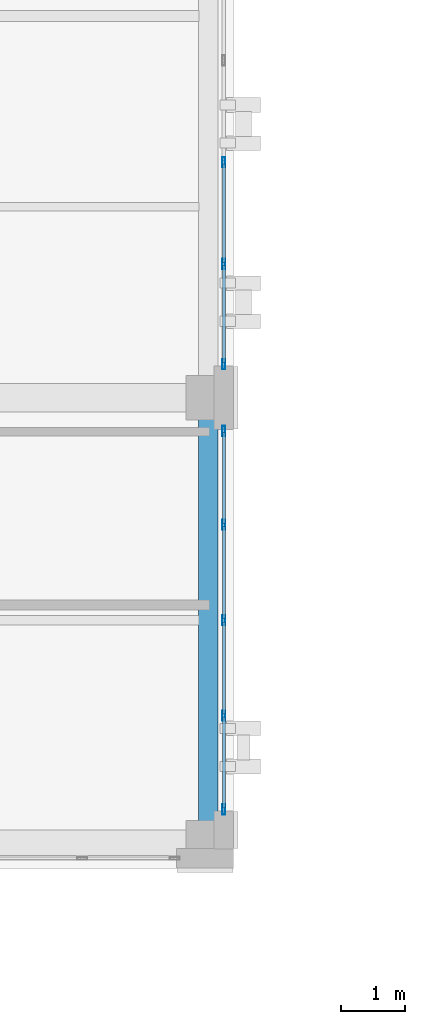
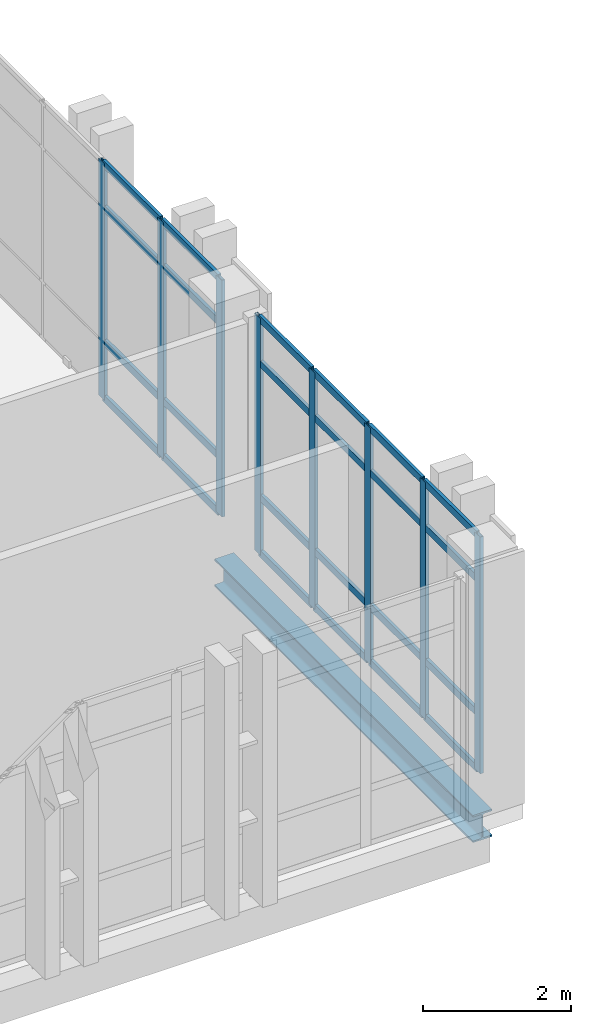
# One storey, part 113 of 193: 32 members, 1 beam, 2 elements without a shape of their own.
"""IFC4 building model written with IfcOpenShell, lengths in metres."""

from ifc_helpers import new_model, si_unit, direction, frame, origin, origin_2d, place, context, subcontext, project, spatial, hollow_rectangle, i_section, extrude, material, layer, layer_set, material_profile, profile_set, type_object, element, aggregate, save


model = new_model("IFC4")

# Units and contexts
model_context = context("Model", 3, precision=1e-05, world=origin(), true_north=direction((0.0, 1.0)))
body_context = subcontext(model_context, "Body", "Model", "MODEL_VIEW")
ifc_project = project(units=[si_unit("LENGTHUNIT", "METRE"), si_unit("AREAUNIT", "SQUARE_METRE"), si_unit("VOLUMEUNIT", "CUBIC_METRE"), si_unit("PLANEANGLEUNIT", "RADIAN"), si_unit("MASSUNIT", "GRAM", prefix="KILO")], contexts=[model_context])

# Site, building, storey
site_placement = place(None, origin())
site = spatial("IfcSite", under=ifc_project, at=site_placement, CompositionType="ELEMENT")
building_placement = place(site_placement, origin())
building = spatial("IfcBuilding", under=site, at=building_placement, Name="Qalavern Law Courts", CompositionType="ELEMENT")
storey_placement = place(building_placement, frame((0.0, 0.0, 10.199951171875)))
storey = spatial("IfcBuildingStorey", under=building, at=storey_placement, Name="L02", CompositionType="ELEMENT", Elevation=10.199951171875)

# Curtain wall, members
ifc_material_1 = material(Name="Anodised aluminium and insulated glazing", Category="aluminium")
ifc_layer = layer(ifc_material_1, 0.166015625)
ifc_layer_set = layer_set([ifc_layer], Name="Anodised aluminium and insulated glazing")
curtain_wall_type = type_object("IfcCurtainWallType", Name="ENV-CW-LIB", PredefinedType="USERDEFINED", material=ifc_layer_set)
curtain_wall_1_placement = place(storey_placement, origin())
curtain_wall_1 = element("IfcCurtainWall", 1, at=curtain_wall_1_placement, inside=storey, type_object=curtain_wall_type, Name="V5 unitised curtain wall L02 east 1", ObjectType="UNITISED CURTAIN WALL", PredefinedType="USERDEFINED")
ifc_material_2 = material(Name="Anodised aluminium", Category="aluminium")
ifc_material_profile_1 = material_profile(ifc_material_2, hollow_rectangle(XDim=0.048095703125, YDim=0.159912109375, WallThickness=0.00390625, at=origin_2d()), Name="ALU MULLION 48x160")
ifc_profile_set_1 = profile_set([ifc_material_profile_1], Name="Anodised aluminium")
member_type_1 = type_object("IfcMemberType", Name="ENV-CWM-48x160", PredefinedType="MULLION", material=ifc_profile_set_1)
member_1_placement = place(storey_placement, frame((66.64501953125, 97.1240234375, 0.0), z_axis=(0.0, 0.0, 1.0), x_axis=(-1.0, 0.0, 0.0)))
member_1 = element("IfcMember", 2, at=member_1_placement, type_object=member_type_1, Name="CW-05 mullion 1", PredefinedType="MULLION", context=body_context, shape_type="SweptSolid", body=[
    extrude(hollow_rectangle(XDim=0.048095703125, YDim=0.159912109375, WallThickness=0.00390625, at=origin_2d()), origin(), (0.0, 0.0, 1.0), 3.9150390625),
])
member_2_placement = place(storey_placement, frame((66.64501953125, 98.60009765625, 0.0), z_axis=(0.0, 0.0, 1.0), x_axis=(-1.0, 0.0, 0.0)))
member_2 = element("IfcMember", 3, at=member_2_placement, type_object=member_type_1, Name="CW-05 mullion 2", PredefinedType="MULLION", context=body_context, shape_type="SweptSolid", body=[
    extrude(hollow_rectangle(XDim=0.048095703125, YDim=0.159912109375, WallThickness=0.00390625, at=origin_2d()), origin(), (0.0, 0.0, 1.0), 3.9150390625),
])
member_3_placement = place(storey_placement, frame((66.64501953125, 100.10009765625, 0.0), z_axis=(0.0, 0.0, 1.0), x_axis=(-1.0, 0.0, 0.0)))
member_3 = element("IfcMember", 4, at=member_3_placement, type_object=member_type_1, Name="CW-05 mullion 3", PredefinedType="MULLION", context=body_context, shape_type="SweptSolid", body=[
    extrude(hollow_rectangle(XDim=0.048095703125, YDim=0.159912109375, WallThickness=0.00390625, at=origin_2d()), origin(), (0.0, 0.0, 1.0), 3.9150390625),
])
member_4_placement = place(storey_placement, frame((66.64501953125, 101.60009765625, 0.0), z_axis=(0.0, 0.0, 1.0), x_axis=(-1.0, 0.0, 0.0)))
member_4 = element("IfcMember", 5, at=member_4_placement, type_object=member_type_1, Name="CW-05 mullion 4", PredefinedType="MULLION", context=body_context, shape_type="SweptSolid", body=[
    extrude(hollow_rectangle(XDim=0.048095703125, YDim=0.159912109375, WallThickness=0.00390625, at=origin_2d()), origin(), (0.0, 0.0, 1.0), 3.9150390625),
])
member_5_placement = place(storey_placement, frame((66.64501953125, 103.075927734375, 0.0), z_axis=(0.0, 0.0, 1.0), x_axis=(-1.0, 0.0, 0.0)))
member_5 = element("IfcMember", 6, at=member_5_placement, type_object=member_type_1, Name="CW-05 mullion 5", PredefinedType="MULLION", context=body_context, shape_type="SweptSolid", body=[
    extrude(hollow_rectangle(XDim=0.048095703125, YDim=0.159912109375, WallThickness=0.00390625, at=origin_2d()), origin(), (0.0, 0.0, 1.0), 3.9150390625),
])

curtain_wall_2_placement = place(storey_placement, origin())
curtain_wall_2 = element("IfcCurtainWall", 7, at=curtain_wall_2_placement, inside=storey, type_object=curtain_wall_type, Name="V5 unitised curtain wall L02 east 2", ObjectType="UNITISED CURTAIN WALL", PredefinedType="USERDEFINED")
member_6_placement = place(storey_placement, frame((66.64501953125, 104.1240234375, 0.0), z_axis=(0.0, 0.0, 1.0), x_axis=(-1.0, 0.0, 0.0)))
member_6 = element("IfcMember", 8, at=member_6_placement, type_object=member_type_1, Name="CW-05 mullion 1", PredefinedType="MULLION", context=body_context, shape_type="SweptSolid", body=[
    extrude(hollow_rectangle(XDim=0.048095703125, YDim=0.159912109375, WallThickness=0.00390625, at=origin_2d()), origin(), (0.0, 0.0, 1.0), 3.9150390625),
])
member_7_placement = place(storey_placement, frame((66.64501953125, 105.699951171875, 0.0), z_axis=(0.0, 0.0, 1.0), x_axis=(-1.0, 0.0, 0.0)))
member_7 = element("IfcMember", 9, at=member_7_placement, type_object=member_type_1, Name="CW-05 mullion 2", PredefinedType="MULLION", context=body_context, shape_type="SweptSolid", body=[
    extrude(hollow_rectangle(XDim=0.048095703125, YDim=0.159912109375, WallThickness=0.00390625, at=origin_2d()), origin(), (0.0, 0.0, 1.0), 3.9150390625),
])
member_8_placement = place(storey_placement, frame((66.64501953125, 107.300048828125, 0.0), z_axis=(0.0, 0.0, 1.0), x_axis=(-1.0, 0.0, 0.0)))
member_8 = element("IfcMember", 10, at=member_8_placement, type_object=member_type_1, Name="CW-05 mullion 3", PredefinedType="MULLION", context=body_context, shape_type="SweptSolid", body=[
    extrude(hollow_rectangle(XDim=0.048095703125, YDim=0.159912109375, WallThickness=0.00390625, at=origin_2d()), origin(), (0.0, 0.0, 1.0), 3.9150390625),
])

# Member
ifc_material_profile_2 = material_profile(ifc_material_2, hollow_rectangle(XDim=0.048095703125, YDim=0.1201171875, WallThickness=0.00390625, at=origin_2d()), Name="ALU TRANSOM 48x120")
ifc_profile_set_2 = profile_set([ifc_material_profile_2], Name="Anodised aluminium")
member_type_2 = type_object("IfcMemberType", Name="ENV-CWT-48x120", PredefinedType="USERDEFINED", material=ifc_profile_set_2)
member_9_placement = place(storey_placement, frame((66.64501953125, 97.14794921875, 0.024169921875), z_axis=(0.0, 1.0, 0.0), x_axis=(-1.0, 0.0, 0.0)))
member_9 = element("IfcMember", 11, at=member_9_placement, type_object=member_type_2, Name="CW-05 transom 1.1", ObjectType="TRANSOM", PredefinedType="USERDEFINED", context=body_context, shape_type="SweptSolid", body=[
    extrude(hollow_rectangle(XDim=0.048095703125, YDim=0.1201171875, WallThickness=0.00390625, at=origin_2d()), origin(), (0.0, 0.0, 1.0), 1.427978515625),
])

member_10_placement = place(storey_placement, frame((66.64501953125, 97.14794921875, 0.949951171875), z_axis=(0.0, 1.0, 0.0), x_axis=(-1.0, 0.0, 0.0)))
member_10 = element("IfcMember", 12, at=member_10_placement, type_object=member_type_2, Name="CW-05 transom 1.2", ObjectType="TRANSOM", PredefinedType="USERDEFINED", context=body_context, shape_type="SweptSolid", body=[
    extrude(hollow_rectangle(XDim=0.048095703125, YDim=0.1201171875, WallThickness=0.00390625, at=origin_2d()), origin(), (0.0, 0.0, 1.0), 1.427978515625),
])

member_11_placement = place(storey_placement, frame((66.64501953125, 97.14794921875, 3.1650390625), z_axis=(0.0, 1.0, 0.0), x_axis=(-1.0, 0.0, 0.0)))
member_11 = element("IfcMember", 13, at=member_11_placement, type_object=member_type_2, Name="CW-05 transom 1.3", ObjectType="TRANSOM", PredefinedType="USERDEFINED", context=body_context, shape_type="SweptSolid", body=[
    extrude(hollow_rectangle(XDim=0.048095703125, YDim=0.1201171875, WallThickness=0.00390625, at=origin_2d()), origin(), (0.0, 0.0, 1.0), 1.427978515625),
])

member_12_placement = place(storey_placement, frame((66.64501953125, 97.14794921875, 3.89111328125), z_axis=(0.0, 1.0, 0.0), x_axis=(-1.0, 0.0, 0.0)))
member_12 = element("IfcMember", 14, at=member_12_placement, type_object=member_type_2, Name="CW-05 transom 1.4", ObjectType="TRANSOM", PredefinedType="USERDEFINED", context=body_context, shape_type="SweptSolid", body=[
    extrude(hollow_rectangle(XDim=0.048095703125, YDim=0.1201171875, WallThickness=0.00390625, at=origin_2d()), origin(), (0.0, 0.0, 1.0), 1.427978515625),
])

member_13_placement = place(storey_placement, frame((66.64501953125, 98.6240234375, 0.024169921875), z_axis=(0.0, 1.0, 0.0), x_axis=(-1.0, 0.0, 0.0)))
member_13 = element("IfcMember", 15, at=member_13_placement, type_object=member_type_2, Name="CW-05 transom 2.1", ObjectType="TRANSOM", PredefinedType="USERDEFINED", context=body_context, shape_type="SweptSolid", body=[
    extrude(hollow_rectangle(XDim=0.048095703125, YDim=0.1201171875, WallThickness=0.00390625, at=origin_2d()), origin(), (0.0, 0.0, 1.0), 1.451904296875),
])

member_14_placement = place(storey_placement, frame((66.64501953125, 98.6240234375, 0.949951171875), z_axis=(0.0, 1.0, 0.0), x_axis=(-1.0, 0.0, 0.0)))
member_14 = element("IfcMember", 16, at=member_14_placement, type_object=member_type_2, Name="CW-05 transom 2.2", ObjectType="TRANSOM", PredefinedType="USERDEFINED", context=body_context, shape_type="SweptSolid", body=[
    extrude(hollow_rectangle(XDim=0.048095703125, YDim=0.1201171875, WallThickness=0.00390625, at=origin_2d()), origin(), (0.0, 0.0, 1.0), 1.451904296875),
])

member_15_placement = place(storey_placement, frame((66.64501953125, 98.6240234375, 3.1650390625), z_axis=(0.0, 1.0, 0.0), x_axis=(-1.0, 0.0, 0.0)))
member_15 = element("IfcMember", 17, at=member_15_placement, type_object=member_type_2, Name="CW-05 transom 2.3", ObjectType="TRANSOM", PredefinedType="USERDEFINED", context=body_context, shape_type="SweptSolid", body=[
    extrude(hollow_rectangle(XDim=0.048095703125, YDim=0.1201171875, WallThickness=0.00390625, at=origin_2d()), origin(), (0.0, 0.0, 1.0), 1.451904296875),
])

member_16_placement = place(storey_placement, frame((66.64501953125, 98.6240234375, 3.89111328125), z_axis=(0.0, 1.0, 0.0), x_axis=(-1.0, 0.0, 0.0)))
member_16 = element("IfcMember", 18, at=member_16_placement, type_object=member_type_2, Name="CW-05 transom 2.4", ObjectType="TRANSOM", PredefinedType="USERDEFINED", context=body_context, shape_type="SweptSolid", body=[
    extrude(hollow_rectangle(XDim=0.048095703125, YDim=0.1201171875, WallThickness=0.00390625, at=origin_2d()), origin(), (0.0, 0.0, 1.0), 1.451904296875),
])

member_17_placement = place(storey_placement, frame((66.64501953125, 100.1240234375, 0.024169921875), z_axis=(0.0, 1.0, 0.0), x_axis=(-1.0, 0.0, 0.0)))
member_17 = element("IfcMember", 19, at=member_17_placement, type_object=member_type_2, Name="CW-05 transom 3.1", ObjectType="TRANSOM", PredefinedType="USERDEFINED", context=body_context, shape_type="SweptSolid", body=[
    extrude(hollow_rectangle(XDim=0.048095703125, YDim=0.1201171875, WallThickness=0.00390625, at=origin_2d()), origin(), (0.0, 0.0, 1.0), 1.451904296875),
])

member_18_placement = place(storey_placement, frame((66.64501953125, 100.1240234375, 0.949951171875), z_axis=(0.0, 1.0, 0.0), x_axis=(-1.0, 0.0, 0.0)))
member_18 = element("IfcMember", 20, at=member_18_placement, type_object=member_type_2, Name="CW-05 transom 3.2", ObjectType="TRANSOM", PredefinedType="USERDEFINED", context=body_context, shape_type="SweptSolid", body=[
    extrude(hollow_rectangle(XDim=0.048095703125, YDim=0.1201171875, WallThickness=0.00390625, at=origin_2d()), origin(), (0.0, 0.0, 1.0), 1.451904296875),
])

member_19_placement = place(storey_placement, frame((66.64501953125, 100.1240234375, 3.1650390625), z_axis=(0.0, 1.0, 0.0), x_axis=(-1.0, 0.0, 0.0)))
member_19 = element("IfcMember", 21, at=member_19_placement, type_object=member_type_2, Name="CW-05 transom 3.3", ObjectType="TRANSOM", PredefinedType="USERDEFINED", context=body_context, shape_type="SweptSolid", body=[
    extrude(hollow_rectangle(XDim=0.048095703125, YDim=0.1201171875, WallThickness=0.00390625, at=origin_2d()), origin(), (0.0, 0.0, 1.0), 1.451904296875),
])

member_20_placement = place(storey_placement, frame((66.64501953125, 100.1240234375, 3.89111328125), z_axis=(0.0, 1.0, 0.0), x_axis=(-1.0, 0.0, 0.0)))
member_20 = element("IfcMember", 22, at=member_20_placement, type_object=member_type_2, Name="CW-05 transom 3.4", ObjectType="TRANSOM", PredefinedType="USERDEFINED", context=body_context, shape_type="SweptSolid", body=[
    extrude(hollow_rectangle(XDim=0.048095703125, YDim=0.1201171875, WallThickness=0.00390625, at=origin_2d()), origin(), (0.0, 0.0, 1.0), 1.451904296875),
])

member_21_placement = place(storey_placement, frame((66.64501953125, 101.6240234375, 0.024169921875), z_axis=(0.0, 1.0, 0.0), x_axis=(-1.0, 0.0, 0.0)))
member_21 = element("IfcMember", 23, at=member_21_placement, type_object=member_type_2, Name="CW-05 transom 4.1", ObjectType="TRANSOM", PredefinedType="USERDEFINED", context=body_context, shape_type="SweptSolid", body=[
    extrude(hollow_rectangle(XDim=0.048095703125, YDim=0.1201171875, WallThickness=0.00390625, at=origin_2d()), origin(), (0.0, 0.0, 1.0), 1.427978515625),
])

member_22_placement = place(storey_placement, frame((66.64501953125, 101.6240234375, 0.949951171875), z_axis=(0.0, 1.0, 0.0), x_axis=(-1.0, 0.0, 0.0)))
member_22 = element("IfcMember", 24, at=member_22_placement, type_object=member_type_2, Name="CW-05 transom 4.2", ObjectType="TRANSOM", PredefinedType="USERDEFINED", context=body_context, shape_type="SweptSolid", body=[
    extrude(hollow_rectangle(XDim=0.048095703125, YDim=0.1201171875, WallThickness=0.00390625, at=origin_2d()), origin(), (0.0, 0.0, 1.0), 1.427978515625),
])

member_23_placement = place(storey_placement, frame((66.64501953125, 101.6240234375, 3.1650390625), z_axis=(0.0, 1.0, 0.0), x_axis=(-1.0, 0.0, 0.0)))
member_23 = element("IfcMember", 25, at=member_23_placement, type_object=member_type_2, Name="CW-05 transom 4.3", ObjectType="TRANSOM", PredefinedType="USERDEFINED", context=body_context, shape_type="SweptSolid", body=[
    extrude(hollow_rectangle(XDim=0.048095703125, YDim=0.1201171875, WallThickness=0.00390625, at=origin_2d()), origin(), (0.0, 0.0, 1.0), 1.427978515625),
])

member_24_placement = place(storey_placement, frame((66.64501953125, 101.6240234375, 3.89111328125), z_axis=(0.0, 1.0, 0.0), x_axis=(-1.0, 0.0, 0.0)))
member_24 = element("IfcMember", 26, at=member_24_placement, type_object=member_type_2, Name="CW-05 transom 4.4", ObjectType="TRANSOM", PredefinedType="USERDEFINED", context=body_context, shape_type="SweptSolid", body=[
    extrude(hollow_rectangle(XDim=0.048095703125, YDim=0.1201171875, WallThickness=0.00390625, at=origin_2d()), origin(), (0.0, 0.0, 1.0), 1.427978515625),
])

aggregate(curtain_wall_1, [member_1, member_2, member_3, member_4, member_5, member_9, member_10, member_11, member_12, member_13, member_14, member_15, member_16, member_17, member_18, member_19, member_20, member_21, member_22, member_23, member_24])

member_25_placement = place(storey_placement, frame((66.64501953125, 104.14794921875, 0.024169921875), z_axis=(0.0, 1.0, 0.0), x_axis=(-1.0, 0.0, 0.0)))
member_25 = element("IfcMember", 27, at=member_25_placement, type_object=member_type_2, Name="CW-05 transom 1.1", ObjectType="TRANSOM", PredefinedType="USERDEFINED", context=body_context, shape_type="SweptSolid", body=[
    extrude(hollow_rectangle(XDim=0.048095703125, YDim=0.1201171875, WallThickness=0.00390625, at=origin_2d()), origin(), (0.0, 0.0, 1.0), 1.528076171875),
])

member_26_placement = place(storey_placement, frame((66.64501953125, 104.14794921875, 0.949951171875), z_axis=(0.0, 1.0, 0.0), x_axis=(-1.0, 0.0, 0.0)))
member_26 = element("IfcMember", 28, at=member_26_placement, type_object=member_type_2, Name="CW-05 transom 1.2", ObjectType="TRANSOM", PredefinedType="USERDEFINED", context=body_context, shape_type="SweptSolid", body=[
    extrude(hollow_rectangle(XDim=0.048095703125, YDim=0.1201171875, WallThickness=0.00390625, at=origin_2d()), origin(), (0.0, 0.0, 1.0), 1.528076171875),
])

member_27_placement = place(storey_placement, frame((66.64501953125, 104.14794921875, 3.1650390625), z_axis=(0.0, 1.0, 0.0), x_axis=(-1.0, 0.0, 0.0)))
member_27 = element("IfcMember", 29, at=member_27_placement, type_object=member_type_2, Name="CW-05 transom 1.3", ObjectType="TRANSOM", PredefinedType="USERDEFINED", context=body_context, shape_type="SweptSolid", body=[
    extrude(hollow_rectangle(XDim=0.048095703125, YDim=0.1201171875, WallThickness=0.00390625, at=origin_2d()), origin(), (0.0, 0.0, 1.0), 1.528076171875),
])

member_28_placement = place(storey_placement, frame((66.64501953125, 104.14794921875, 3.89111328125), z_axis=(0.0, 1.0, 0.0), x_axis=(-1.0, 0.0, 0.0)))
member_28 = element("IfcMember", 30, at=member_28_placement, type_object=member_type_2, Name="CW-05 transom 1.4", ObjectType="TRANSOM", PredefinedType="USERDEFINED", context=body_context, shape_type="SweptSolid", body=[
    extrude(hollow_rectangle(XDim=0.048095703125, YDim=0.1201171875, WallThickness=0.00390625, at=origin_2d()), origin(), (0.0, 0.0, 1.0), 1.528076171875),
])

member_29_placement = place(storey_placement, frame((66.64501953125, 105.72412109375, 0.024169921875), z_axis=(0.0, 1.0, 0.0), x_axis=(-1.0, 0.0, 0.0)))
member_29 = element("IfcMember", 31, at=member_29_placement, type_object=member_type_2, Name="CW-05 transom 2.1", ObjectType="TRANSOM", PredefinedType="USERDEFINED", context=body_context, shape_type="SweptSolid", body=[
    extrude(hollow_rectangle(XDim=0.048095703125, YDim=0.1201171875, WallThickness=0.00390625, at=origin_2d()), origin(), (0.0, 0.0, 1.0), 1.5517578125),
])

member_30_placement = place(storey_placement, frame((66.64501953125, 105.72412109375, 0.949951171875), z_axis=(0.0, 1.0, 0.0), x_axis=(-1.0, 0.0, 0.0)))
member_30 = element("IfcMember", 32, at=member_30_placement, type_object=member_type_2, Name="CW-05 transom 2.2", ObjectType="TRANSOM", PredefinedType="USERDEFINED", context=body_context, shape_type="SweptSolid", body=[
    extrude(hollow_rectangle(XDim=0.048095703125, YDim=0.1201171875, WallThickness=0.00390625, at=origin_2d()), origin(), (0.0, 0.0, 1.0), 1.5517578125),
])

member_31_placement = place(storey_placement, frame((66.64501953125, 105.72412109375, 3.1650390625), z_axis=(0.0, 1.0, 0.0), x_axis=(-1.0, 0.0, 0.0)))
member_31 = element("IfcMember", 33, at=member_31_placement, type_object=member_type_2, Name="CW-05 transom 2.3", ObjectType="TRANSOM", PredefinedType="USERDEFINED", context=body_context, shape_type="SweptSolid", body=[
    extrude(hollow_rectangle(XDim=0.048095703125, YDim=0.1201171875, WallThickness=0.00390625, at=origin_2d()), origin(), (0.0, 0.0, 1.0), 1.5517578125),
])

member_32_placement = place(storey_placement, frame((66.64501953125, 105.72412109375, 3.89111328125), z_axis=(0.0, 1.0, 0.0), x_axis=(-1.0, 0.0, 0.0)))
member_32 = element("IfcMember", 34, at=member_32_placement, type_object=member_type_2, Name="CW-05 transom 2.4", ObjectType="TRANSOM", PredefinedType="USERDEFINED", context=body_context, shape_type="SweptSolid", body=[
    extrude(hollow_rectangle(XDim=0.048095703125, YDim=0.1201171875, WallThickness=0.00390625, at=origin_2d()), origin(), (0.0, 0.0, 1.0), 1.5517578125),
])

aggregate(curtain_wall_2, [member_6, member_7, member_8, member_25, member_26, member_27, member_28, member_29, member_30, member_31, member_32])

# Beam
ifc_material_3 = material(Name="Steel S355", Category="steel")
ifc_material_profile_3 = material_profile(ifc_material_3, i_section(OverallWidth=0.300048828125, OverallDepth=0.449951171875, WebThickness=0.013916015625, FlangeThickness=0.02587890625, FilletRadius=0.027099609375, at=origin_2d()), Name="HEB 450")
ifc_profile_set_3 = profile_set([ifc_material_profile_3], Name="Steel S355")
beam_type = type_object("IfcBeamType", Name="STR-SP-HEB450", PredefinedType="SPANDREL", material=ifc_profile_set_3)
beam_placement = place(storey_placement, frame((66.39990234375, 96.60009765625, -0.514892578125), z_axis=(0.0, 1.0, 0.0), x_axis=(-1.0, 0.0, 0.0)))
element("IfcBeam", 35, at=beam_placement, inside=storey, type_object=beam_type, Name="V5 Y-beam 9-1 L02", PredefinedType="SPANDREL", context=body_context, shape_type="SweptSolid", body=[
    extrude(i_section(OverallWidth=0.300048828125, OverallDepth=0.449951171875, WebThickness=0.013916015625, FlangeThickness=0.02587890625, FilletRadius=0.027099609375, at=origin_2d()), origin(), (0.0, 0.0, 1.0), 7.0),
])

save(model, "model.ifc")
